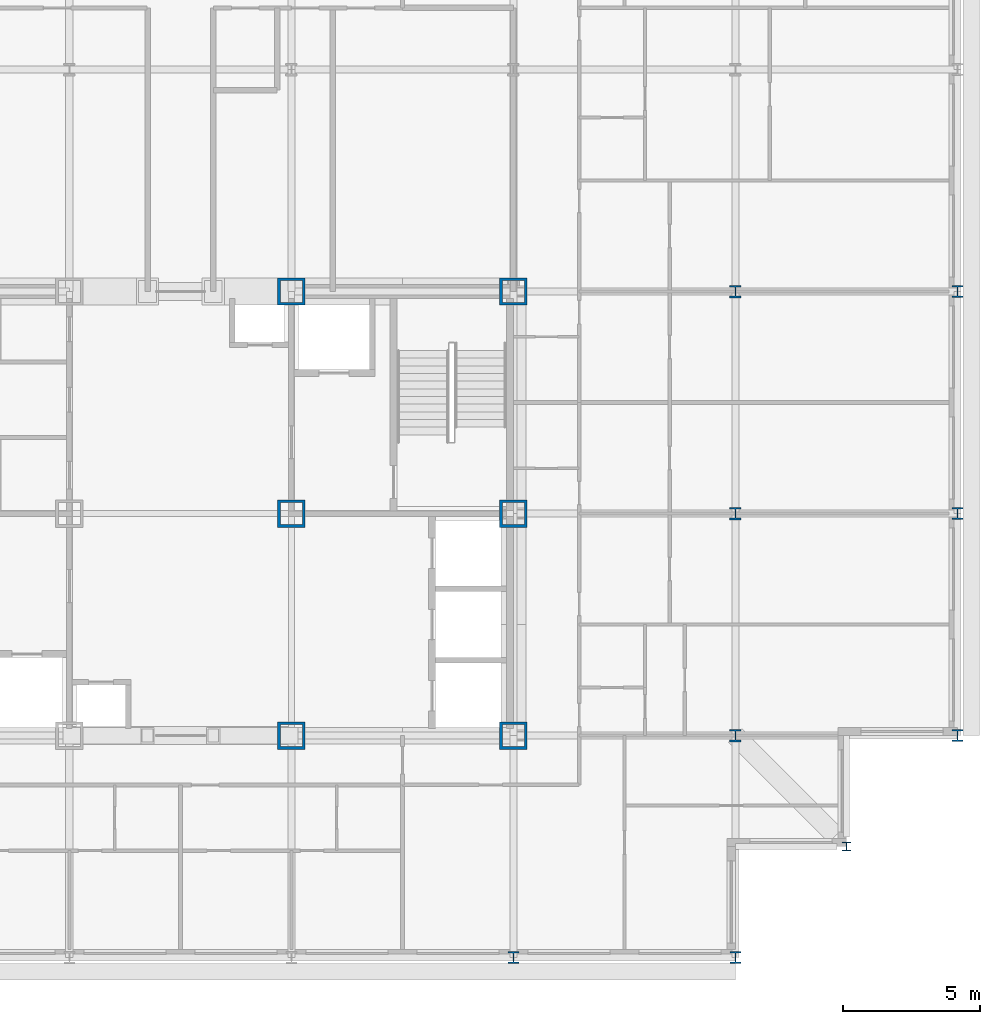
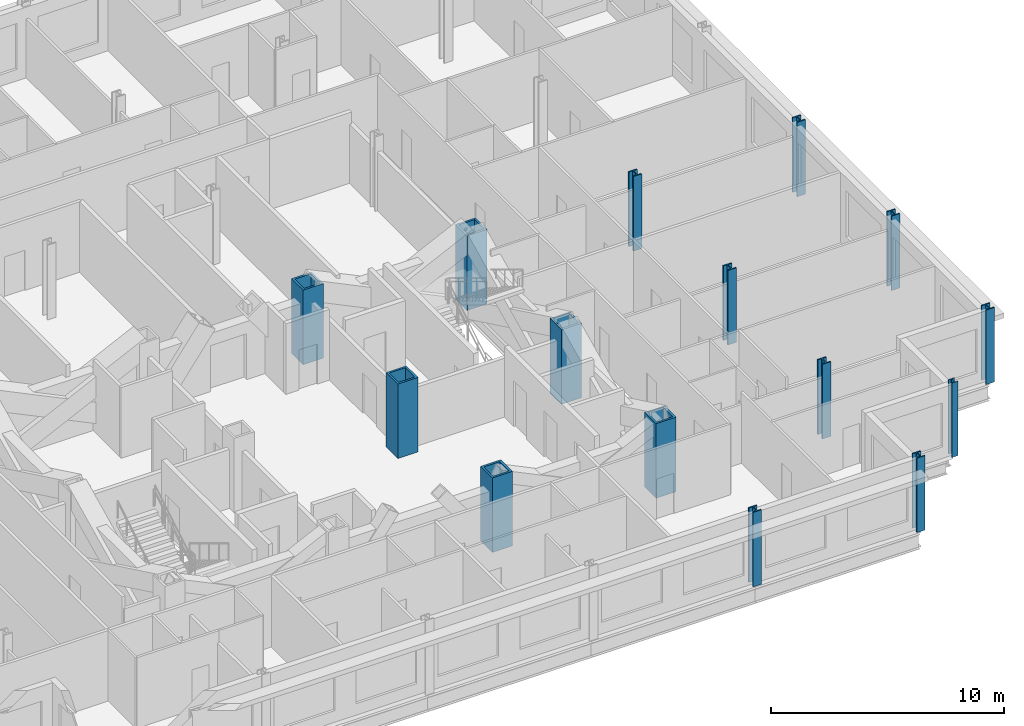
# One storey, part 2 of 15: 15 columns.
"""IFC4 building model written with IfcOpenShell, lengths in metres."""

from ifc_helpers import new_model, si_unit, direction, frame, origin, origin_2d, place, context, subcontext, project, spatial, hollow_rectangle, i_section, extrude, material, material_profile, profile_set, type_object, element, save


model = new_model("IFC4")

# Units and contexts
model_context = context("Model", 3, precision=1e-05, world=origin(), true_north=direction((0.0, 1.0)))
body_context = subcontext(model_context, "Body", "Model", "MODEL_VIEW")
ifc_project = project(units=[si_unit("LENGTHUNIT", "METRE"), si_unit("AREAUNIT", "SQUARE_METRE"), si_unit("VOLUMEUNIT", "CUBIC_METRE"), si_unit("PLANEANGLEUNIT", "RADIAN"), si_unit("MASSUNIT", "GRAM", prefix="KILO")], contexts=[model_context])

# Site, building, storey
site_placement = place(None, origin())
site = spatial("IfcSite", under=ifc_project, at=site_placement, CompositionType="ELEMENT")
building_placement = place(site_placement, origin())
building = spatial("IfcBuilding", under=site, at=building_placement, Name="Kopane Lantern Tower", CompositionType="ELEMENT")
storey_placement = place(building_placement, frame((0.0, 0.0, 246.300048828125)))
storey = spatial("IfcBuildingStorey", under=building, at=storey_placement, Name="L63", CompositionType="ELEMENT", Elevation=246.300048828125)

# Columns
ifc_material_1 = material(Name="Steel S355JR", Category="steel")
ifc_material_profile_1 = material_profile(ifc_material_1, hollow_rectangle(XDim=1.0, YDim=1.0, WallThickness=0.10009765625, at=origin_2d()), Name="BOX 1000x1000x100")
ifc_profile_set_1 = profile_set([ifc_material_profile_1], Name="Steel S355JR")
column_type_1 = type_object("IfcColumnType", Name="COLUMN BOX 1000x1000x100", PredefinedType="COLUMN", material=ifc_profile_set_1)
for number, where, z_axis, x_axis, name in (
    (1, (32.39990234375, 24.300048828125, 0.0), (0.0, 0.0, 1.0), (1.0, 0.0, 0.0), "Column 6/E L63"),
    (2, (32.39990234375, 32.39990234375, 0.0), (0.0, 0.0, 1.0), (1.0, 0.0, 0.0), "Column 6/F L63"),
    (3, (32.39990234375, 40.5, 0.0), (0.0, 0.0, 1.0), (1.0, 0.0, 0.0), "Column 6/G L63"),
    (4, (40.5, 24.300048828125, 0.0), (0.0, 0.0, 1.0), (1.0, 0.0, 0.0), "Column 7/E L63"),
    (5, (40.5, 32.39990234375, 0.0), (0.0, 0.0, 1.0), (1.0, 0.0, 0.0), "Column 7/F L63"),
    (6, (40.5, 40.5, 0.0), (0.0, 0.0, 1.0), (1.0, 0.0, 0.0), "Column 7/G L63"),
):
    element("IfcColumn", number, at=place(storey_placement, frame(where, z_axis=z_axis, x_axis=x_axis)), inside=storey, type_object=column_type_1, Name=name, PredefinedType="COLUMN", context=body_context, shape_type="SweptSolid", body=[
        extrude(hollow_rectangle(XDim=1.0, YDim=1.0, WallThickness=0.10009765625, at=origin_2d()), origin(), (0.0, 0.0, 1.0), 3.89990234375),
    ])
ifc_material_2 = material(Name="Steel S355JR", Category="steel")
ifc_material_profile_2 = material_profile(ifc_material_2, i_section(OverallWidth=0.307373046875, OverallDepth=0.314453125, WebThickness=0.011962890625, FlangeThickness=0.018798828125, FilletRadius=0.01513671875, at=origin_2d()), Name="UC 305x305x118")
ifc_profile_set_2 = profile_set([ifc_material_profile_2], Name="Steel S355JR")
column_type_2 = type_object("IfcColumnType", Name="COLUMN UC 305x305x118", PredefinedType="COLUMN", material=ifc_profile_set_2)
column_placement = place(storey_placement, frame((52.64990234375, 20.25, 0.0), z_axis=(0.0, 0.0, 1.0), x_axis=(1.0, 0.0, 0.0)))
element("IfcColumn", 7, at=column_placement, inside=storey, type_object=column_type_2, Name="Column 52.65/20.25 L63", PredefinedType="COLUMN", context=body_context, shape_type="SweptSolid", body=[
    extrude(i_section(OverallWidth=0.307373046875, OverallDepth=0.314453125, WebThickness=0.011962890625, FlangeThickness=0.018798828125, FilletRadius=0.01513671875, at=origin_2d()), origin(), (0.0, 0.0, 1.0), 3.89990234375),
])
ifc_material_3 = material(Name="Steel S355JR", Category="steel")
ifc_material_profile_3 = material_profile(ifc_material_3, i_section(OverallWidth=0.412109375, OverallDepth=0.4365234375, WebThickness=0.035888671875, FlangeThickness=0.05810546875, FilletRadius=0.01513671875, at=origin_2d()), Name="UC 356x406x467")
ifc_profile_set_3 = profile_set([ifc_material_profile_3], Name="Steel S355JR")
column_type_3 = type_object("IfcColumnType", Name="COLUMN UC 356x406x467", PredefinedType="COLUMN", material=ifc_profile_set_3)
for number, where, z_axis, x_axis, name in (
    (8, (40.5, 16.199951171875, 0.0), (0.0, 0.0, 1.0), (1.0, 0.0, 0.0), "Column 7/D L63"),
    (9, (48.60009765625, 16.199951171875, 0.0), (0.0, 0.0, 1.0), (1.0, 0.0, 0.0), "Column 8/D L63"),
    (10, (56.699951171875, 24.300048828125, 0.0), (0.0, 0.0, 1.0), (1.0, 0.0, 0.0), "Column 9/E L63"),
    (11, (56.699951171875, 32.39990234375, 0.0), (0.0, 0.0, 1.0), (1.0, 0.0, 0.0), "Column 9/F L63"),
    (12, (56.699951171875, 40.5, 0.0), (0.0, 0.0, 1.0), (1.0, 0.0, 0.0), "Column 9/G L63"),
):
    element("IfcColumn", number, at=place(storey_placement, frame(where, z_axis=z_axis, x_axis=x_axis)), inside=storey, type_object=column_type_3, Name=name, PredefinedType="COLUMN", context=body_context, shape_type="SweptSolid", body=[
        extrude(i_section(OverallWidth=0.412109375, OverallDepth=0.4365234375, WebThickness=0.035888671875, FlangeThickness=0.05810546875, FilletRadius=0.01513671875, at=origin_2d()), origin(), (0.0, 0.0, 1.0), 3.89990234375),
    ])
ifc_material_4 = material(Name="Steel S355JR", Category="steel")
ifc_material_profile_4 = material_profile(ifc_material_4, i_section(OverallWidth=0.41845703125, OverallDepth=0.45556640625, WebThickness=0.0419921875, FlangeThickness=0.0673828125, FilletRadius=0.01513671875, at=origin_2d()), Name="UC 356x406x551")
ifc_profile_set_4 = profile_set([ifc_material_profile_4], Name="Steel S355JR")
column_type_4 = type_object("IfcColumnType", Name="COLUMN UC 356x406x551", PredefinedType="COLUMN", material=ifc_profile_set_4)
for number, where, z_axis, x_axis, name in (
    (13, (48.60009765625, 24.300048828125, 0.0), (0.0, 0.0, 1.0), (1.0, 0.0, 0.0), "Column 8/E L63"),
    (14, (48.60009765625, 32.39990234375, 0.0), (0.0, 0.0, 1.0), (1.0, 0.0, 0.0), "Column 8/F L63"),
    (15, (48.60009765625, 40.5, 0.0), (0.0, 0.0, 1.0), (1.0, 0.0, 0.0), "Column 8/G L63"),
):
    element("IfcColumn", number, at=place(storey_placement, frame(where, z_axis=z_axis, x_axis=x_axis)), inside=storey, type_object=column_type_4, Name=name, PredefinedType="COLUMN", context=body_context, shape_type="SweptSolid", body=[
        extrude(i_section(OverallWidth=0.41845703125, OverallDepth=0.45556640625, WebThickness=0.0419921875, FlangeThickness=0.0673828125, FilletRadius=0.01513671875, at=origin_2d()), origin(), (0.0, 0.0, 1.0), 3.89990234375),
    ])

save(model, "model.ifc")
